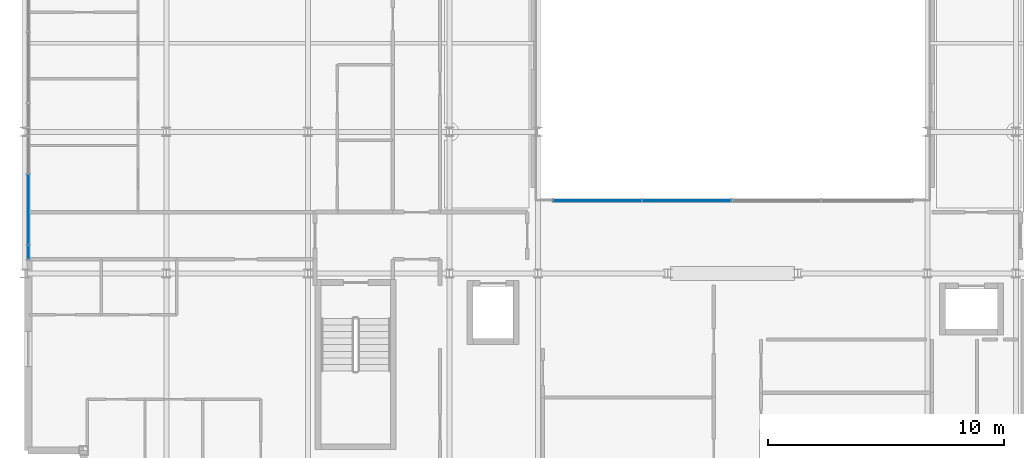
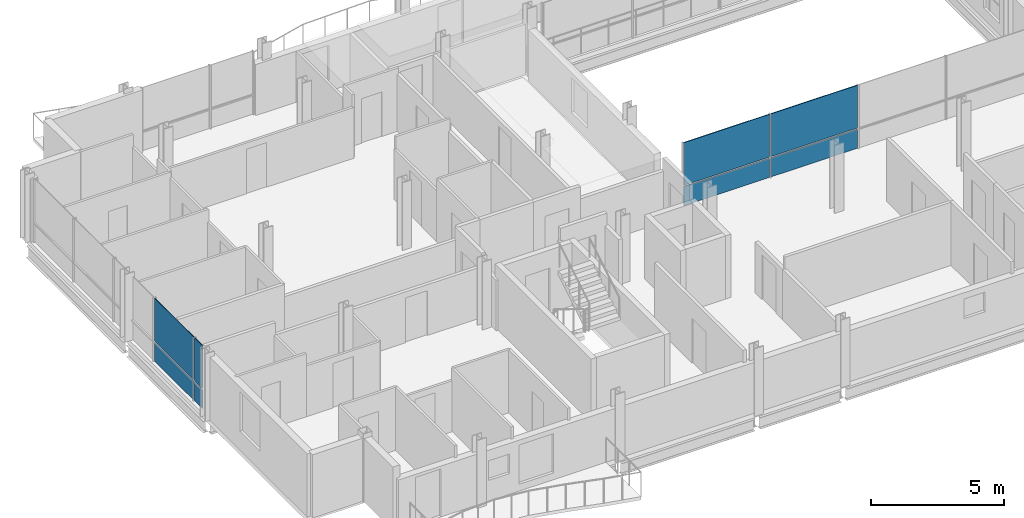
# One storey, part 25 of 35: 8 plates, 2 elements without a shape of their own.
"""IFC4 building model written with IfcOpenShell, lengths in metres."""

from ifc_helpers import new_model, si_unit, direction, frame, origin, origin_2d, place, context, subcontext, project, spatial, rectangle, extrude, material, layer, layer_set, type_object, element, aggregate, save


model = new_model("IFC4")

# Units and contexts
model_context = context("Model", 3, precision=1e-05, world=origin(), true_north=direction((0.0, 1.0)))
body_context = subcontext(model_context, "Body", "Model", "MODEL_VIEW")
ifc_project = project(units=[si_unit("LENGTHUNIT", "METRE"), si_unit("AREAUNIT", "SQUARE_METRE"), si_unit("VOLUMEUNIT", "CUBIC_METRE"), si_unit("PLANEANGLEUNIT", "RADIAN"), si_unit("MASSUNIT", "GRAM", prefix="KILO")], contexts=[model_context])

# Site, building, storey
site_placement = place(None, origin())
site = spatial("IfcSite", under=ifc_project, at=site_placement, CompositionType="ELEMENT")
building_placement = place(site_placement, origin())
building = spatial("IfcBuilding", under=site, at=building_placement, Name="Brevholm Reach", CompositionType="ELEMENT")
storey_placement = place(building_placement, frame((0.0, 0.0, 183.199951171875)))
storey = spatial("IfcBuildingStorey", under=building, at=storey_placement, Name="L55", CompositionType="ELEMENT", Elevation=183.199951171875)

# Curtain wall, plates
ifc_material_1 = material(Name="Dark Anodised Aluminium 6063-T6 and Solar-Control Glass", Category="aluminium")
ifc_layer_1 = layer(ifc_material_1, 0.14990234375)
ifc_layer_set_1 = layer_set([ifc_layer_1], Name="Dark Anodised Aluminium 6063-T6 and Solar-Control Glass")
curtain_wall_type_1 = type_object("IfcCurtainWallType", Name="CW-01", PredefinedType="NOTDEFINED", material=ifc_layer_set_1)
curtain_wall_1_placement = place(storey_placement, origin())
curtain_wall_1 = element("IfcCurtainWall", 1, at=curtain_wall_1_placement, inside=storey, type_object=curtain_wall_type_1, Name="L55 Curtain Wall CW-01", PredefinedType="NOTDEFINED")
ifc_material_2 = material(Name="Dark Solar-Control Double-Glazed IGU Glass", Category="glass")
ifc_layer_2 = layer(ifc_material_2, 0.028076171875)
ifc_layer_set_2 = layer_set([ifc_layer_2], Name="Dark Solar-Control Double-Glazed IGU Glass")
plate_type_1 = type_object("IfcPlateType", Name="CWP-GLZ-28", PredefinedType="CURTAIN_PANEL", material=ifc_layer_set_2)
plate_1_placement = place(storey_placement, frame((0.14990234375, 12.719970703125, 0.0), z_axis=(0.0, 0.0, 1.0), x_axis=(0.0, -1.0, 0.0)))
plate_1 = element("IfcPlate", 2, at=plate_1_placement, type_object=plate_type_1, Name="CP-01 Glazing Panel 4.1", PredefinedType="CURTAIN_PANEL", context=body_context, shape_type="SweptSolid", body=[
    extrude(rectangle(XDim=2.93505859375, YDim=0.028076171875, at=origin_2d()), origin(), (0.0, 0.0, 1.0), 0.867431640625),
])
plate_2_placement = place(storey_placement, frame((0.14990234375, 12.719970703125, 0.9326171875), z_axis=(0.0, 0.0, 1.0), x_axis=(0.0, -1.0, 0.0)))
plate_2 = element("IfcPlate", 3, at=plate_2_placement, type_object=plate_type_1, Name="CP-01 Glazing Panel 4.2", PredefinedType="CURTAIN_PANEL", context=body_context, shape_type="SweptSolid", body=[
    extrude(rectangle(XDim=2.93505859375, YDim=0.028076171875, at=origin_2d()), origin(), (0.0, 0.0, 1.0), 1.95751953125),
])
plate_3_placement = place(storey_placement, frame((0.14990234375, 10.9013671875, 0.0), z_axis=(0.0, 0.0, 1.0), x_axis=(0.0, -1.0, 0.0)))
plate_3 = element("IfcPlate", 4, at=plate_3_placement, type_object=plate_type_1, Name="CP-01 Glazing Panel 5.1", PredefinedType="CURTAIN_PANEL", context=body_context, shape_type="SweptSolid", body=[
    extrude(rectangle(XDim=0.572509765625, YDim=0.028076171875, at=origin_2d()), origin(), (0.0, 0.0, 1.0), 0.867431640625),
])
plate_4_placement = place(storey_placement, frame((0.14990234375, 10.9013671875, 0.9326171875), z_axis=(0.0, 0.0, 1.0), x_axis=(0.0, -1.0, 0.0)))
plate_4 = element("IfcPlate", 5, at=plate_4_placement, type_object=plate_type_1, Name="CP-01 Glazing Panel 5.2", PredefinedType="CURTAIN_PANEL", context=body_context, shape_type="SweptSolid", body=[
    extrude(rectangle(XDim=0.572509765625, YDim=0.028076171875, at=origin_2d()), origin(), (0.0, 0.0, 1.0), 1.95751953125),
])
aggregate(curtain_wall_1, [plate_1, plate_2, plate_3, plate_4])

ifc_material_3 = material(Name="Dark Anodised Aluminium 6063-T6 and Solar-Control Glass", Category="aluminium")
ifc_layer_3 = layer(ifc_material_3, 0.139892578125)
ifc_layer_set_3 = layer_set([ifc_layer_3], Name="Dark Anodised Aluminium 6063-T6 and Solar-Control Glass")
curtain_wall_type_2 = type_object("IfcCurtainWallType", Name="CW-02", PredefinedType="NOTDEFINED", material=ifc_layer_set_3)
curtain_wall_2_placement = place(storey_placement, origin())
curtain_wall_2 = element("IfcCurtainWall", 6, at=curtain_wall_2_placement, inside=storey, type_object=curtain_wall_type_2, Name="L55 Curtain Wall CW-02", PredefinedType="NOTDEFINED")
ifc_material_4 = material(Name="Low-Iron Laminated Acoustic Glass", Category="glass")
ifc_layer_4 = layer(ifc_material_4, 0.035888671875)
ifc_layer_set_4 = layer_set([ifc_layer_4], Name="Low-Iron Laminated Acoustic Glass")
plate_type_2 = type_object("IfcPlateType", Name="CWP-GLZ-36", PredefinedType="CURTAIN_PANEL", material=ifc_layer_set_4)
plate_5_placement = place(storey_placement, frame((24.264892578125, 13.080078125, 0.0), z_axis=(0.0, 0.0, 1.0), x_axis=(1.0, 0.0, 0.0)))
plate_5 = element("IfcPlate", 7, at=plate_5_placement, type_object=plate_type_2, Name="CP-02 Glazing Panel 1.1", PredefinedType="CURTAIN_PANEL", context=body_context, shape_type="SweptSolid", body=[
    extrude(rectangle(XDim=3.7099609375, YDim=0.035888671875, at=origin_2d()), origin(), (0.0, 0.0, 1.0), 0.8701171875),
])
plate_6_placement = place(storey_placement, frame((24.264892578125, 13.080078125, 0.93017578125), z_axis=(0.0, 0.0, 1.0), x_axis=(1.0, 0.0, 0.0)))
plate_6 = element("IfcPlate", 8, at=plate_6_placement, type_object=plate_type_2, Name="CP-02 Glazing Panel 1.2", PredefinedType="CURTAIN_PANEL", context=body_context, shape_type="SweptSolid", body=[
    extrude(rectangle(XDim=3.7099609375, YDim=0.035888671875, at=origin_2d()), origin(), (0.0, 0.0, 1.0), 1.9599609375),
])
plate_7_placement = place(storey_placement, frame((28.050048828125, 13.080078125, 0.0), z_axis=(0.0, 0.0, 1.0), x_axis=(1.0, 0.0, 0.0)))
plate_7 = element("IfcPlate", 9, at=plate_7_placement, type_object=plate_type_2, Name="CP-02 Glazing Panel 2.1", PredefinedType="CURTAIN_PANEL", context=body_context, shape_type="SweptSolid", body=[
    extrude(rectangle(XDim=3.739990234375, YDim=0.035888671875, at=origin_2d()), origin(), (0.0, 0.0, 1.0), 0.8701171875),
])
plate_8_placement = place(storey_placement, frame((28.050048828125, 13.080078125, 0.93017578125), z_axis=(0.0, 0.0, 1.0), x_axis=(1.0, 0.0, 0.0)))
plate_8 = element("IfcPlate", 10, at=plate_8_placement, type_object=plate_type_2, Name="CP-02 Glazing Panel 2.2", PredefinedType="CURTAIN_PANEL", context=body_context, shape_type="SweptSolid", body=[
    extrude(rectangle(XDim=3.739990234375, YDim=0.035888671875, at=origin_2d()), origin(), (0.0, 0.0, 1.0), 1.9599609375),
])
aggregate(curtain_wall_2, [plate_5, plate_6, plate_7, plate_8])

save(model, "model.ifc")
